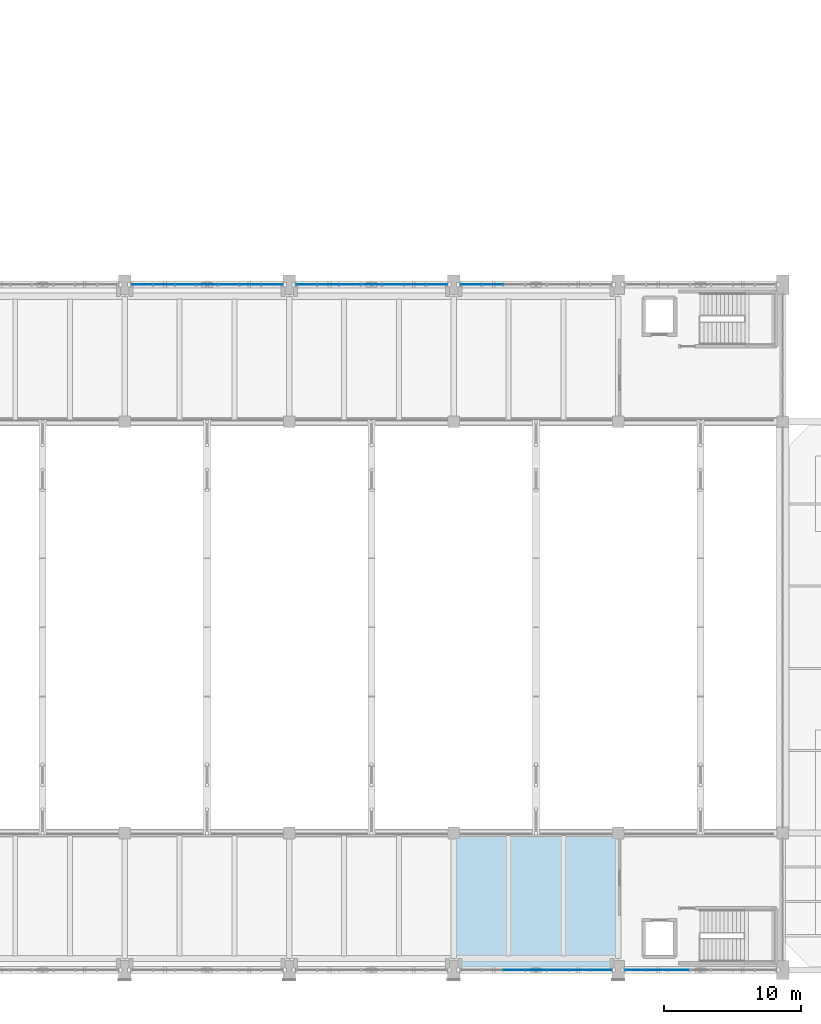
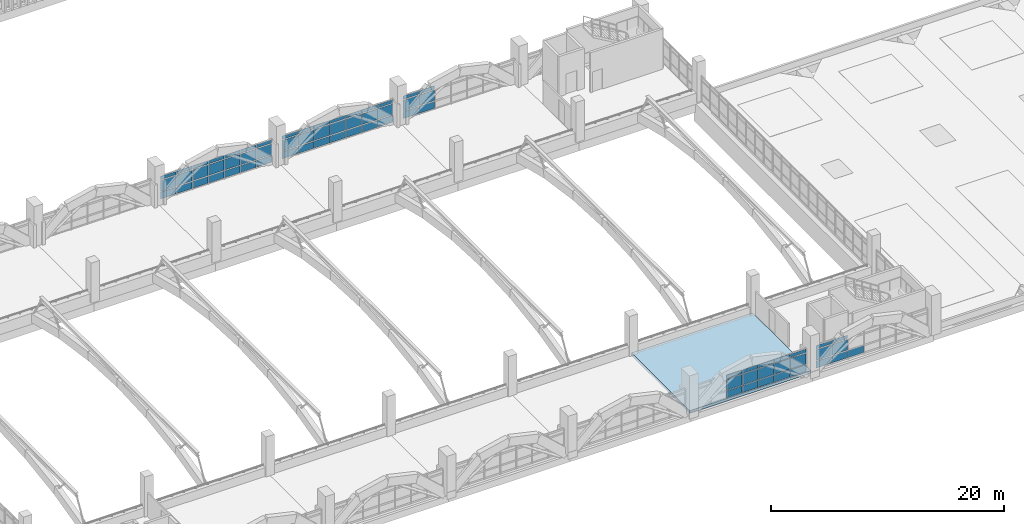
# One storey, part 125 of 161: 70 plates, 1 slab, 5 elements without a shape of their own.
"""IFC4 building model written with IfcOpenShell, lengths in metres."""

from ifc_helpers import new_model, si_unit, direction, frame, origin, origin_2d, place, context, subcontext, project, spatial, polyline, rectangle, outline, extrude, material, layer, layer_set, type_object, element, aggregate, save


model = new_model("IFC4")

# Units and contexts
model_context = context("Model", 3, precision=1e-05, world=origin(), true_north=direction((0.0, 1.0)))
body_context = subcontext(model_context, "Body", "Model", "MODEL_VIEW")
ifc_project = project(units=[si_unit("LENGTHUNIT", "METRE"), si_unit("AREAUNIT", "SQUARE_METRE"), si_unit("VOLUMEUNIT", "CUBIC_METRE"), si_unit("PLANEANGLEUNIT", "RADIAN"), si_unit("MASSUNIT", "GRAM", prefix="KILO")], contexts=[model_context])

# Site, building, storey
site_placement = place(None, origin())
site = spatial("IfcSite", under=ifc_project, at=site_placement, CompositionType="ELEMENT")
building_placement = place(site_placement, origin())
building = spatial("IfcBuilding", under=site, at=building_placement, Name="Mersad Railyard Sports Hall", CompositionType="ELEMENT")
storey_placement = place(building_placement, frame((0.0, 0.0, 4.800048828125)))
storey = spatial("IfcBuildingStorey", under=building, at=storey_placement, Name="L01", CompositionType="ELEMENT", Elevation=4.800048828125)

# Curtain wall, plates
ifc_material_1 = material(Name="Aluminium 6063-T6", Category="aluminium")
ifc_layer_1 = layer(ifc_material_1, 0.199951171875)
ifc_layer_set_1 = layer_set([ifc_layer_1], Name="Aluminium 6063-T6")
curtain_wall_type = type_object("IfcCurtainWallType", Name="ARC-CW-CW02", PredefinedType="USERDEFINED", material=ifc_layer_set_1)
curtain_wall_1_placement = place(storey_placement, origin())
curtain_wall_1 = element("IfcCurtainWall", 1, at=curtain_wall_1_placement, inside=storey, type_object=curtain_wall_type, Name="Curtain wall CW02-0013", ObjectType="CURTAIN WALL", PredefinedType="USERDEFINED")
ifc_material_2 = material(Name="Solar-control glass", Category="glass")
ifc_layer_2 = layer(ifc_material_2, 0.028076171875)
ifc_layer_set_2 = layer_set([ifc_layer_2], Name="Solar-control glass")
plate_type = type_object("IfcPlateType", Name="ARC-CW-PNL01", PredefinedType="CURTAIN_PANEL", material=ifc_layer_set_2)
plate_1_placement = place(storey_placement, frame((44.260009765625, 53.5, 0.0849609375), z_axis=(0.0, 0.0, 1.0), x_axis=(1.0, 0.0, 0.0)))
plate_1 = element("IfcPlate", 2, at=plate_1_placement, type_object=plate_type, Name="CW02 Glazed panel 1-1", PredefinedType="CURTAIN_PANEL", context=body_context, shape_type="SweptSolid", body=[
    extrude(rectangle(XDim=1.535888671875, YDim=0.028076171875, at=origin_2d()), origin(), (0.0, 0.0, 1.0), 0.719970703125),
])
plate_2_placement = place(storey_placement, frame((44.260009765625, 53.5, 0.89501953125), z_axis=(0.0, 0.0, 1.0), x_axis=(1.0, 0.0, 0.0)))
plate_2 = element("IfcPlate", 3, at=plate_2_placement, type_object=plate_type, Name="CW02 Glazed panel 1-2", PredefinedType="CURTAIN_PANEL", context=body_context, shape_type="SweptSolid", body=[
    extrude(rectangle(XDim=1.535888671875, YDim=0.028076171875, at=origin_2d()), origin(), (0.0, 0.0, 1.0), 1.110107421875),
])
plate_3_placement = place(storey_placement, frame((44.260009765625, 53.5, 2.094970703125), z_axis=(0.0, 0.0, 1.0), x_axis=(1.0, 0.0, 0.0)))
plate_3 = element("IfcPlate", 4, at=plate_3_placement, type_object=plate_type, Name="CW02 Glazed panel 1-3", PredefinedType="CURTAIN_PANEL", context=body_context, shape_type="SweptSolid", body=[
    extrude(rectangle(XDim=1.535888671875, YDim=0.028076171875, at=origin_2d()), origin(), (0.0, 0.0, 1.0), 0.35009765625),
])
plate_4_placement = place(storey_placement, frame((45.840087890625, 53.5, 0.0849609375), z_axis=(0.0, 0.0, 1.0), x_axis=(1.0, 0.0, 0.0)))
plate_4 = element("IfcPlate", 5, at=plate_4_placement, type_object=plate_type, Name="CW02 Glazed panel 2-1", PredefinedType="CURTAIN_PANEL", context=body_context, shape_type="SweptSolid", body=[
    extrude(rectangle(XDim=1.535888671875, YDim=0.028076171875, at=origin_2d()), origin(), (0.0, 0.0, 1.0), 0.719970703125),
])
plate_5_placement = place(storey_placement, frame((45.840087890625, 53.5, 0.89501953125), z_axis=(0.0, 0.0, 1.0), x_axis=(1.0, 0.0, 0.0)))
plate_5 = element("IfcPlate", 6, at=plate_5_placement, type_object=plate_type, Name="CW02 Glazed panel 2-2", PredefinedType="CURTAIN_PANEL", context=body_context, shape_type="SweptSolid", body=[
    extrude(rectangle(XDim=1.535888671875, YDim=0.028076171875, at=origin_2d()), origin(), (0.0, 0.0, 1.0), 1.110107421875),
])
plate_6_placement = place(storey_placement, frame((45.840087890625, 53.5, 2.094970703125), z_axis=(0.0, 0.0, 1.0), x_axis=(1.0, 0.0, 0.0)))
plate_6 = element("IfcPlate", 7, at=plate_6_placement, type_object=plate_type, Name="CW02 Glazed panel 2-3", PredefinedType="CURTAIN_PANEL", context=body_context, shape_type="SweptSolid", body=[
    extrude(rectangle(XDim=1.535888671875, YDim=0.028076171875, at=origin_2d()), origin(), (0.0, 0.0, 1.0), 0.35009765625),
])
plate_7_placement = place(storey_placement, frame((47.419921875, 53.5, 0.0849609375), z_axis=(0.0, 0.0, 1.0), x_axis=(1.0, 0.0, 0.0)))
plate_7 = element("IfcPlate", 8, at=plate_7_placement, type_object=plate_type, Name="CW02 Glazed panel 3-1", PredefinedType="CURTAIN_PANEL", context=body_context, shape_type="SweptSolid", body=[
    extrude(rectangle(XDim=1.535888671875, YDim=0.028076171875, at=origin_2d()), origin(), (0.0, 0.0, 1.0), 0.719970703125),
])
plate_8_placement = place(storey_placement, frame((47.419921875, 53.5, 0.89501953125), z_axis=(0.0, 0.0, 1.0), x_axis=(1.0, 0.0, 0.0)))
plate_8 = element("IfcPlate", 9, at=plate_8_placement, type_object=plate_type, Name="CW02 Glazed panel 3-2", PredefinedType="CURTAIN_PANEL", context=body_context, shape_type="SweptSolid", body=[
    extrude(rectangle(XDim=1.535888671875, YDim=0.028076171875, at=origin_2d()), origin(), (0.0, 0.0, 1.0), 1.110107421875),
])
plate_9_placement = place(storey_placement, frame((47.419921875, 53.5, 2.094970703125), z_axis=(0.0, 0.0, 1.0), x_axis=(1.0, 0.0, 0.0)))
plate_9 = element("IfcPlate", 10, at=plate_9_placement, type_object=plate_type, Name="CW02 Glazed panel 3-3", PredefinedType="CURTAIN_PANEL", context=body_context, shape_type="SweptSolid", body=[
    extrude(rectangle(XDim=1.535888671875, YDim=0.028076171875, at=origin_2d()), origin(), (0.0, 0.0, 1.0), 0.35009765625),
])
plate_10_placement = place(storey_placement, frame((49.0, 53.5, 0.0849609375), z_axis=(0.0, 0.0, 1.0), x_axis=(1.0, 0.0, 0.0)))
plate_10 = element("IfcPlate", 11, at=plate_10_placement, type_object=plate_type, Name="CW02 Glazed panel 4-1", PredefinedType="CURTAIN_PANEL", context=body_context, shape_type="SweptSolid", body=[
    extrude(rectangle(XDim=1.535888671875, YDim=0.028076171875, at=origin_2d()), origin(), (0.0, 0.0, 1.0), 0.719970703125),
])
plate_11_placement = place(storey_placement, frame((49.0, 53.5, 0.89501953125), z_axis=(0.0, 0.0, 1.0), x_axis=(1.0, 0.0, 0.0)))
plate_11 = element("IfcPlate", 12, at=plate_11_placement, type_object=plate_type, Name="CW02 Glazed panel 4-2", PredefinedType="CURTAIN_PANEL", context=body_context, shape_type="SweptSolid", body=[
    extrude(rectangle(XDim=1.535888671875, YDim=0.028076171875, at=origin_2d()), origin(), (0.0, 0.0, 1.0), 1.110107421875),
])
plate_12_placement = place(storey_placement, frame((49.0, 53.5, 2.094970703125), z_axis=(0.0, 0.0, 1.0), x_axis=(1.0, 0.0, 0.0)))
plate_12 = element("IfcPlate", 13, at=plate_12_placement, type_object=plate_type, Name="CW02 Glazed panel 4-3", PredefinedType="CURTAIN_PANEL", context=body_context, shape_type="SweptSolid", body=[
    extrude(rectangle(XDim=1.535888671875, YDim=0.028076171875, at=origin_2d()), origin(), (0.0, 0.0, 1.0), 0.35009765625),
])
plate_13_placement = place(storey_placement, frame((50.580078125, 53.5, 0.0849609375), z_axis=(0.0, 0.0, 1.0), x_axis=(1.0, 0.0, 0.0)))
plate_13 = element("IfcPlate", 14, at=plate_13_placement, type_object=plate_type, Name="CW02 Glazed panel 5-1", PredefinedType="CURTAIN_PANEL", context=body_context, shape_type="SweptSolid", body=[
    extrude(rectangle(XDim=1.535888671875, YDim=0.028076171875, at=origin_2d()), origin(), (0.0, 0.0, 1.0), 0.719970703125),
])
plate_14_placement = place(storey_placement, frame((50.580078125, 53.5, 0.89501953125), z_axis=(0.0, 0.0, 1.0), x_axis=(1.0, 0.0, 0.0)))
plate_14 = element("IfcPlate", 15, at=plate_14_placement, type_object=plate_type, Name="CW02 Glazed panel 5-2", PredefinedType="CURTAIN_PANEL", context=body_context, shape_type="SweptSolid", body=[
    extrude(rectangle(XDim=1.535888671875, YDim=0.028076171875, at=origin_2d()), origin(), (0.0, 0.0, 1.0), 1.110107421875),
])
plate_15_placement = place(storey_placement, frame((50.580078125, 53.5, 2.094970703125), z_axis=(0.0, 0.0, 1.0), x_axis=(1.0, 0.0, 0.0)))
plate_15 = element("IfcPlate", 16, at=plate_15_placement, type_object=plate_type, Name="CW02 Glazed panel 5-3", PredefinedType="CURTAIN_PANEL", context=body_context, shape_type="SweptSolid", body=[
    extrude(rectangle(XDim=1.535888671875, YDim=0.028076171875, at=origin_2d()), origin(), (0.0, 0.0, 1.0), 0.35009765625),
])
plate_16_placement = place(storey_placement, frame((52.159912109375, 53.5, 0.0849609375), z_axis=(0.0, 0.0, 1.0), x_axis=(1.0, 0.0, 0.0)))
plate_16 = element("IfcPlate", 17, at=plate_16_placement, type_object=plate_type, Name="CW02 Glazed panel 6-1", PredefinedType="CURTAIN_PANEL", context=body_context, shape_type="SweptSolid", body=[
    extrude(rectangle(XDim=1.535888671875, YDim=0.028076171875, at=origin_2d()), origin(), (0.0, 0.0, 1.0), 0.719970703125),
])
plate_17_placement = place(storey_placement, frame((52.159912109375, 53.5, 0.89501953125), z_axis=(0.0, 0.0, 1.0), x_axis=(1.0, 0.0, 0.0)))
plate_17 = element("IfcPlate", 18, at=plate_17_placement, type_object=plate_type, Name="CW02 Glazed panel 6-2", PredefinedType="CURTAIN_PANEL", context=body_context, shape_type="SweptSolid", body=[
    extrude(rectangle(XDim=1.535888671875, YDim=0.028076171875, at=origin_2d()), origin(), (0.0, 0.0, 1.0), 1.110107421875),
])
plate_18_placement = place(storey_placement, frame((52.159912109375, 53.5, 2.094970703125), z_axis=(0.0, 0.0, 1.0), x_axis=(1.0, 0.0, 0.0)))
plate_18 = element("IfcPlate", 19, at=plate_18_placement, type_object=plate_type, Name="CW02 Glazed panel 6-3", PredefinedType="CURTAIN_PANEL", context=body_context, shape_type="SweptSolid", body=[
    extrude(rectangle(XDim=1.535888671875, YDim=0.028076171875, at=origin_2d()), origin(), (0.0, 0.0, 1.0), 0.35009765625),
])
plate_19_placement = place(storey_placement, frame((53.739990234375, 53.5, 0.0849609375), z_axis=(0.0, 0.0, 1.0), x_axis=(1.0, 0.0, 0.0)))
plate_19 = element("IfcPlate", 20, at=plate_19_placement, type_object=plate_type, Name="CW02 Glazed panel 7-1", PredefinedType="CURTAIN_PANEL", context=body_context, shape_type="SweptSolid", body=[
    extrude(rectangle(XDim=1.535888671875, YDim=0.028076171875, at=origin_2d()), origin(), (0.0, 0.0, 1.0), 0.719970703125),
])
plate_20_placement = place(storey_placement, frame((53.739990234375, 53.5, 0.89501953125), z_axis=(0.0, 0.0, 1.0), x_axis=(1.0, 0.0, 0.0)))
plate_20 = element("IfcPlate", 21, at=plate_20_placement, type_object=plate_type, Name="CW02 Glazed panel 7-2", PredefinedType="CURTAIN_PANEL", context=body_context, shape_type="SweptSolid", body=[
    extrude(rectangle(XDim=1.535888671875, YDim=0.028076171875, at=origin_2d()), origin(), (0.0, 0.0, 1.0), 1.110107421875),
])
plate_21_placement = place(storey_placement, frame((53.739990234375, 53.5, 2.094970703125), z_axis=(0.0, 0.0, 1.0), x_axis=(1.0, 0.0, 0.0)))
plate_21 = element("IfcPlate", 22, at=plate_21_placement, type_object=plate_type, Name="CW02 Glazed panel 7-3", PredefinedType="CURTAIN_PANEL", context=body_context, shape_type="SweptSolid", body=[
    extrude(rectangle(XDim=1.535888671875, YDim=0.028076171875, at=origin_2d()), origin(), (0.0, 0.0, 1.0), 0.35009765625),
])
aggregate(curtain_wall_1, [plate_1, plate_2, plate_3, plate_4, plate_5, plate_6, plate_7, plate_8, plate_9, plate_10, plate_11, plate_12, plate_13, plate_14, plate_15, plate_16, plate_17, plate_18, plate_19, plate_20, plate_21])

curtain_wall_2_placement = place(storey_placement, origin())
curtain_wall_2 = element("IfcCurtainWall", 23, at=curtain_wall_2_placement, inside=storey, type_object=curtain_wall_type, Name="Curtain wall CW02-0016", ObjectType="CURTAIN WALL", PredefinedType="USERDEFINED")
plate_22_placement = place(storey_placement, frame((56.260009765625, 53.5, 0.0849609375), z_axis=(0.0, 0.0, 1.0), x_axis=(1.0, 0.0, 0.0)))
plate_22 = element("IfcPlate", 24, at=plate_22_placement, type_object=plate_type, Name="CW02 Glazed panel 1-1", PredefinedType="CURTAIN_PANEL", context=body_context, shape_type="SweptSolid", body=[
    extrude(rectangle(XDim=1.535888671875, YDim=0.028076171875, at=origin_2d()), origin(), (0.0, 0.0, 1.0), 0.719970703125),
])
plate_23_placement = place(storey_placement, frame((56.260009765625, 53.5, 0.89501953125), z_axis=(0.0, 0.0, 1.0), x_axis=(1.0, 0.0, 0.0)))
plate_23 = element("IfcPlate", 25, at=plate_23_placement, type_object=plate_type, Name="CW02 Glazed panel 1-2", PredefinedType="CURTAIN_PANEL", context=body_context, shape_type="SweptSolid", body=[
    extrude(rectangle(XDim=1.535888671875, YDim=0.028076171875, at=origin_2d()), origin(), (0.0, 0.0, 1.0), 1.110107421875),
])
plate_24_placement = place(storey_placement, frame((56.260009765625, 53.5, 2.094970703125), z_axis=(0.0, 0.0, 1.0), x_axis=(1.0, 0.0, 0.0)))
plate_24 = element("IfcPlate", 26, at=plate_24_placement, type_object=plate_type, Name="CW02 Glazed panel 1-3", PredefinedType="CURTAIN_PANEL", context=body_context, shape_type="SweptSolid", body=[
    extrude(rectangle(XDim=1.535888671875, YDim=0.028076171875, at=origin_2d()), origin(), (0.0, 0.0, 1.0), 0.35009765625),
])
plate_25_placement = place(storey_placement, frame((57.840087890625, 53.5, 0.0849609375), z_axis=(0.0, 0.0, 1.0), x_axis=(1.0, 0.0, 0.0)))
plate_25 = element("IfcPlate", 27, at=plate_25_placement, type_object=plate_type, Name="CW02 Glazed panel 2-1", PredefinedType="CURTAIN_PANEL", context=body_context, shape_type="SweptSolid", body=[
    extrude(rectangle(XDim=1.535888671875, YDim=0.028076171875, at=origin_2d()), origin(), (0.0, 0.0, 1.0), 0.719970703125),
])
plate_26_placement = place(storey_placement, frame((57.840087890625, 53.5, 0.89501953125), z_axis=(0.0, 0.0, 1.0), x_axis=(1.0, 0.0, 0.0)))
plate_26 = element("IfcPlate", 28, at=plate_26_placement, type_object=plate_type, Name="CW02 Glazed panel 2-2", PredefinedType="CURTAIN_PANEL", context=body_context, shape_type="SweptSolid", body=[
    extrude(rectangle(XDim=1.535888671875, YDim=0.028076171875, at=origin_2d()), origin(), (0.0, 0.0, 1.0), 1.110107421875),
])
plate_27_placement = place(storey_placement, frame((57.840087890625, 53.5, 2.094970703125), z_axis=(0.0, 0.0, 1.0), x_axis=(1.0, 0.0, 0.0)))
plate_27 = element("IfcPlate", 29, at=plate_27_placement, type_object=plate_type, Name="CW02 Glazed panel 2-3", PredefinedType="CURTAIN_PANEL", context=body_context, shape_type="SweptSolid", body=[
    extrude(rectangle(XDim=1.535888671875, YDim=0.028076171875, at=origin_2d()), origin(), (0.0, 0.0, 1.0), 0.35009765625),
])
plate_28_placement = place(storey_placement, frame((59.419921875, 53.5, 0.0849609375), z_axis=(0.0, 0.0, 1.0), x_axis=(1.0, 0.0, 0.0)))
plate_28 = element("IfcPlate", 30, at=plate_28_placement, type_object=plate_type, Name="CW02 Glazed panel 3-1", PredefinedType="CURTAIN_PANEL", context=body_context, shape_type="SweptSolid", body=[
    extrude(rectangle(XDim=1.535888671875, YDim=0.028076171875, at=origin_2d()), origin(), (0.0, 0.0, 1.0), 0.719970703125),
])
plate_29_placement = place(storey_placement, frame((59.419921875, 53.5, 0.89501953125), z_axis=(0.0, 0.0, 1.0), x_axis=(1.0, 0.0, 0.0)))
plate_29 = element("IfcPlate", 31, at=plate_29_placement, type_object=plate_type, Name="CW02 Glazed panel 3-2", PredefinedType="CURTAIN_PANEL", context=body_context, shape_type="SweptSolid", body=[
    extrude(rectangle(XDim=1.535888671875, YDim=0.028076171875, at=origin_2d()), origin(), (0.0, 0.0, 1.0), 1.110107421875),
])
plate_30_placement = place(storey_placement, frame((59.419921875, 53.5, 2.094970703125), z_axis=(0.0, 0.0, 1.0), x_axis=(1.0, 0.0, 0.0)))
plate_30 = element("IfcPlate", 32, at=plate_30_placement, type_object=plate_type, Name="CW02 Glazed panel 3-3", PredefinedType="CURTAIN_PANEL", context=body_context, shape_type="SweptSolid", body=[
    extrude(rectangle(XDim=1.535888671875, YDim=0.028076171875, at=origin_2d()), origin(), (0.0, 0.0, 1.0), 0.35009765625),
])
plate_31_placement = place(storey_placement, frame((61.0, 53.5, 0.0849609375), z_axis=(0.0, 0.0, 1.0), x_axis=(1.0, 0.0, 0.0)))
plate_31 = element("IfcPlate", 33, at=plate_31_placement, type_object=plate_type, Name="CW02 Glazed panel 4-1", PredefinedType="CURTAIN_PANEL", context=body_context, shape_type="SweptSolid", body=[
    extrude(rectangle(XDim=1.535888671875, YDim=0.028076171875, at=origin_2d()), origin(), (0.0, 0.0, 1.0), 0.719970703125),
])
plate_32_placement = place(storey_placement, frame((61.0, 53.5, 0.89501953125), z_axis=(0.0, 0.0, 1.0), x_axis=(1.0, 0.0, 0.0)))
plate_32 = element("IfcPlate", 34, at=plate_32_placement, type_object=plate_type, Name="CW02 Glazed panel 4-2", PredefinedType="CURTAIN_PANEL", context=body_context, shape_type="SweptSolid", body=[
    extrude(rectangle(XDim=1.535888671875, YDim=0.028076171875, at=origin_2d()), origin(), (0.0, 0.0, 1.0), 1.110107421875),
])
plate_33_placement = place(storey_placement, frame((61.0, 53.5, 2.094970703125), z_axis=(0.0, 0.0, 1.0), x_axis=(1.0, 0.0, 0.0)))
plate_33 = element("IfcPlate", 35, at=plate_33_placement, type_object=plate_type, Name="CW02 Glazed panel 4-3", PredefinedType="CURTAIN_PANEL", context=body_context, shape_type="SweptSolid", body=[
    extrude(rectangle(XDim=1.535888671875, YDim=0.028076171875, at=origin_2d()), origin(), (0.0, 0.0, 1.0), 0.35009765625),
])
plate_34_placement = place(storey_placement, frame((62.580078125, 53.5, 0.0849609375), z_axis=(0.0, 0.0, 1.0), x_axis=(1.0, 0.0, 0.0)))
plate_34 = element("IfcPlate", 36, at=plate_34_placement, type_object=plate_type, Name="CW02 Glazed panel 5-1", PredefinedType="CURTAIN_PANEL", context=body_context, shape_type="SweptSolid", body=[
    extrude(rectangle(XDim=1.535888671875, YDim=0.028076171875, at=origin_2d()), origin(), (0.0, 0.0, 1.0), 0.719970703125),
])
plate_35_placement = place(storey_placement, frame((62.580078125, 53.5, 0.89501953125), z_axis=(0.0, 0.0, 1.0), x_axis=(1.0, 0.0, 0.0)))
plate_35 = element("IfcPlate", 37, at=plate_35_placement, type_object=plate_type, Name="CW02 Glazed panel 5-2", PredefinedType="CURTAIN_PANEL", context=body_context, shape_type="SweptSolid", body=[
    extrude(rectangle(XDim=1.535888671875, YDim=0.028076171875, at=origin_2d()), origin(), (0.0, 0.0, 1.0), 1.110107421875),
])
plate_36_placement = place(storey_placement, frame((62.580078125, 53.5, 2.094970703125), z_axis=(0.0, 0.0, 1.0), x_axis=(1.0, 0.0, 0.0)))
plate_36 = element("IfcPlate", 38, at=plate_36_placement, type_object=plate_type, Name="CW02 Glazed panel 5-3", PredefinedType="CURTAIN_PANEL", context=body_context, shape_type="SweptSolid", body=[
    extrude(rectangle(XDim=1.535888671875, YDim=0.028076171875, at=origin_2d()), origin(), (0.0, 0.0, 1.0), 0.35009765625),
])
plate_37_placement = place(storey_placement, frame((64.159912109375, 53.5, 0.0849609375), z_axis=(0.0, 0.0, 1.0), x_axis=(1.0, 0.0, 0.0)))
plate_37 = element("IfcPlate", 39, at=plate_37_placement, type_object=plate_type, Name="CW02 Glazed panel 6-1", PredefinedType="CURTAIN_PANEL", context=body_context, shape_type="SweptSolid", body=[
    extrude(rectangle(XDim=1.535888671875, YDim=0.028076171875, at=origin_2d()), origin(), (0.0, 0.0, 1.0), 0.719970703125),
])
plate_38_placement = place(storey_placement, frame((64.159912109375, 53.5, 0.89501953125), z_axis=(0.0, 0.0, 1.0), x_axis=(1.0, 0.0, 0.0)))
plate_38 = element("IfcPlate", 40, at=plate_38_placement, type_object=plate_type, Name="CW02 Glazed panel 6-2", PredefinedType="CURTAIN_PANEL", context=body_context, shape_type="SweptSolid", body=[
    extrude(rectangle(XDim=1.535888671875, YDim=0.028076171875, at=origin_2d()), origin(), (0.0, 0.0, 1.0), 1.110107421875),
])
plate_39_placement = place(storey_placement, frame((64.159912109375, 53.5, 2.094970703125), z_axis=(0.0, 0.0, 1.0), x_axis=(1.0, 0.0, 0.0)))
plate_39 = element("IfcPlate", 41, at=plate_39_placement, type_object=plate_type, Name="CW02 Glazed panel 6-3", PredefinedType="CURTAIN_PANEL", context=body_context, shape_type="SweptSolid", body=[
    extrude(rectangle(XDim=1.535888671875, YDim=0.028076171875, at=origin_2d()), origin(), (0.0, 0.0, 1.0), 0.35009765625),
])
plate_40_placement = place(storey_placement, frame((65.739990234375, 53.5, 0.0849609375), z_axis=(0.0, 0.0, 1.0), x_axis=(1.0, 0.0, 0.0)))
plate_40 = element("IfcPlate", 42, at=plate_40_placement, type_object=plate_type, Name="CW02 Glazed panel 7-1", PredefinedType="CURTAIN_PANEL", context=body_context, shape_type="SweptSolid", body=[
    extrude(rectangle(XDim=1.535888671875, YDim=0.028076171875, at=origin_2d()), origin(), (0.0, 0.0, 1.0), 0.719970703125),
])
plate_41_placement = place(storey_placement, frame((65.739990234375, 53.5, 0.89501953125), z_axis=(0.0, 0.0, 1.0), x_axis=(1.0, 0.0, 0.0)))
plate_41 = element("IfcPlate", 43, at=plate_41_placement, type_object=plate_type, Name="CW02 Glazed panel 7-2", PredefinedType="CURTAIN_PANEL", context=body_context, shape_type="SweptSolid", body=[
    extrude(rectangle(XDim=1.535888671875, YDim=0.028076171875, at=origin_2d()), origin(), (0.0, 0.0, 1.0), 1.110107421875),
])
plate_42_placement = place(storey_placement, frame((65.739990234375, 53.5, 2.094970703125), z_axis=(0.0, 0.0, 1.0), x_axis=(1.0, 0.0, 0.0)))
plate_42 = element("IfcPlate", 44, at=plate_42_placement, type_object=plate_type, Name="CW02 Glazed panel 7-3", PredefinedType="CURTAIN_PANEL", context=body_context, shape_type="SweptSolid", body=[
    extrude(rectangle(XDim=1.535888671875, YDim=0.028076171875, at=origin_2d()), origin(), (0.0, 0.0, 1.0), 0.35009765625),
])
aggregate(curtain_wall_2, [plate_22, plate_23, plate_24, plate_25, plate_26, plate_27, plate_28, plate_29, plate_30, plate_31, plate_32, plate_33, plate_34, plate_35, plate_36, plate_37, plate_38, plate_39, plate_40, plate_41, plate_42])

curtain_wall_3_placement = place(storey_placement, origin())
curtain_wall_3 = element("IfcCurtainWall", 45, at=curtain_wall_3_placement, inside=storey, type_object=curtain_wall_type, Name="Curtain wall CW02-0017", ObjectType="CURTAIN WALL", PredefinedType="USERDEFINED")
plate_43_placement = place(storey_placement, frame((77.739990234375, 3.5, 0.0849609375), z_axis=(0.0, 0.0, 1.0), x_axis=(-1.0, 0.0, 0.0)))
plate_43 = element("IfcPlate", 46, at=plate_43_placement, type_object=plate_type, Name="CW02 Glazed panel 1-1", PredefinedType="CURTAIN_PANEL", context=body_context, shape_type="SweptSolid", body=[
    extrude(rectangle(XDim=1.535888671875, YDim=0.028076171875, at=origin_2d()), origin(), (0.0, 0.0, 1.0), 0.719970703125),
])
plate_44_placement = place(storey_placement, frame((77.739990234375, 3.5, 0.89501953125), z_axis=(0.0, 0.0, 1.0), x_axis=(-1.0, 0.0, 0.0)))
plate_44 = element("IfcPlate", 47, at=plate_44_placement, type_object=plate_type, Name="CW02 Glazed panel 1-2", PredefinedType="CURTAIN_PANEL", context=body_context, shape_type="SweptSolid", body=[
    extrude(rectangle(XDim=1.535888671875, YDim=0.028076171875, at=origin_2d()), origin(), (0.0, 0.0, 1.0), 1.110107421875),
])
plate_45_placement = place(storey_placement, frame((77.739990234375, 3.5, 2.094970703125), z_axis=(0.0, 0.0, 1.0), x_axis=(-1.0, 0.0, 0.0)))
plate_45 = element("IfcPlate", 48, at=plate_45_placement, type_object=plate_type, Name="CW02 Glazed panel 1-3", PredefinedType="CURTAIN_PANEL", context=body_context, shape_type="SweptSolid", body=[
    extrude(rectangle(XDim=1.535888671875, YDim=0.028076171875, at=origin_2d()), origin(), (0.0, 0.0, 1.0), 0.35009765625),
])
plate_46_placement = place(storey_placement, frame((76.159912109375, 3.5, 0.0849609375), z_axis=(0.0, 0.0, 1.0), x_axis=(-1.0, 0.0, 0.0)))
plate_46 = element("IfcPlate", 49, at=plate_46_placement, type_object=plate_type, Name="CW02 Glazed panel 2-1", PredefinedType="CURTAIN_PANEL", context=body_context, shape_type="SweptSolid", body=[
    extrude(rectangle(XDim=1.535888671875, YDim=0.028076171875, at=origin_2d()), origin(), (0.0, 0.0, 1.0), 0.719970703125),
])
plate_47_placement = place(storey_placement, frame((76.159912109375, 3.5, 0.89501953125), z_axis=(0.0, 0.0, 1.0), x_axis=(-1.0, 0.0, 0.0)))
plate_47 = element("IfcPlate", 50, at=plate_47_placement, type_object=plate_type, Name="CW02 Glazed panel 2-2", PredefinedType="CURTAIN_PANEL", context=body_context, shape_type="SweptSolid", body=[
    extrude(rectangle(XDim=1.535888671875, YDim=0.028076171875, at=origin_2d()), origin(), (0.0, 0.0, 1.0), 1.110107421875),
])
plate_48_placement = place(storey_placement, frame((76.159912109375, 3.5, 2.094970703125), z_axis=(0.0, 0.0, 1.0), x_axis=(-1.0, 0.0, 0.0)))
plate_48 = element("IfcPlate", 51, at=plate_48_placement, type_object=plate_type, Name="CW02 Glazed panel 2-3", PredefinedType="CURTAIN_PANEL", context=body_context, shape_type="SweptSolid", body=[
    extrude(rectangle(XDim=1.535888671875, YDim=0.028076171875, at=origin_2d()), origin(), (0.0, 0.0, 1.0), 0.35009765625),
])
plate_49_placement = place(storey_placement, frame((74.580078125, 3.5, 0.0849609375), z_axis=(0.0, 0.0, 1.0), x_axis=(-1.0, 0.0, 0.0)))
plate_49 = element("IfcPlate", 52, at=plate_49_placement, type_object=plate_type, Name="CW02 Glazed panel 3-1", PredefinedType="CURTAIN_PANEL", context=body_context, shape_type="SweptSolid", body=[
    extrude(rectangle(XDim=1.535888671875, YDim=0.028076171875, at=origin_2d()), origin(), (0.0, 0.0, 1.0), 0.719970703125),
])
plate_50_placement = place(storey_placement, frame((74.580078125, 3.5, 0.89501953125), z_axis=(0.0, 0.0, 1.0), x_axis=(-1.0, 0.0, 0.0)))
plate_50 = element("IfcPlate", 53, at=plate_50_placement, type_object=plate_type, Name="CW02 Glazed panel 3-2", PredefinedType="CURTAIN_PANEL", context=body_context, shape_type="SweptSolid", body=[
    extrude(rectangle(XDim=1.535888671875, YDim=0.028076171875, at=origin_2d()), origin(), (0.0, 0.0, 1.0), 1.110107421875),
])
plate_51_placement = place(storey_placement, frame((74.580078125, 3.5, 2.094970703125), z_axis=(0.0, 0.0, 1.0), x_axis=(-1.0, 0.0, 0.0)))
plate_51 = element("IfcPlate", 54, at=plate_51_placement, type_object=plate_type, Name="CW02 Glazed panel 3-3", PredefinedType="CURTAIN_PANEL", context=body_context, shape_type="SweptSolid", body=[
    extrude(rectangle(XDim=1.535888671875, YDim=0.028076171875, at=origin_2d()), origin(), (0.0, 0.0, 1.0), 0.35009765625),
])
plate_52_placement = place(storey_placement, frame((73.0, 3.5, 0.0849609375), z_axis=(0.0, 0.0, 1.0), x_axis=(-1.0, 0.0, 0.0)))
plate_52 = element("IfcPlate", 55, at=plate_52_placement, type_object=plate_type, Name="CW02 Glazed panel 4-1", PredefinedType="CURTAIN_PANEL", context=body_context, shape_type="SweptSolid", body=[
    extrude(rectangle(XDim=1.535888671875, YDim=0.028076171875, at=origin_2d()), origin(), (0.0, 0.0, 1.0), 0.719970703125),
])
plate_53_placement = place(storey_placement, frame((73.0, 3.5, 0.89501953125), z_axis=(0.0, 0.0, 1.0), x_axis=(-1.0, 0.0, 0.0)))
plate_53 = element("IfcPlate", 56, at=plate_53_placement, type_object=plate_type, Name="CW02 Glazed panel 4-2", PredefinedType="CURTAIN_PANEL", context=body_context, shape_type="SweptSolid", body=[
    extrude(rectangle(XDim=1.535888671875, YDim=0.028076171875, at=origin_2d()), origin(), (0.0, 0.0, 1.0), 1.110107421875),
])
plate_54_placement = place(storey_placement, frame((73.0, 3.5, 2.094970703125), z_axis=(0.0, 0.0, 1.0), x_axis=(-1.0, 0.0, 0.0)))
plate_54 = element("IfcPlate", 57, at=plate_54_placement, type_object=plate_type, Name="CW02 Glazed panel 4-3", PredefinedType="CURTAIN_PANEL", context=body_context, shape_type="SweptSolid", body=[
    extrude(rectangle(XDim=1.535888671875, YDim=0.028076171875, at=origin_2d()), origin(), (0.0, 0.0, 1.0), 0.35009765625),
])
plate_55_placement = place(storey_placement, frame((71.419921875, 3.5, 0.0849609375), z_axis=(0.0, 0.0, 1.0), x_axis=(-1.0, 0.0, 0.0)))
plate_55 = element("IfcPlate", 58, at=plate_55_placement, type_object=plate_type, Name="CW02 Glazed panel 5-1", PredefinedType="CURTAIN_PANEL", context=body_context, shape_type="SweptSolid", body=[
    extrude(rectangle(XDim=1.535888671875, YDim=0.028076171875, at=origin_2d()), origin(), (0.0, 0.0, 1.0), 0.719970703125),
])
plate_56_placement = place(storey_placement, frame((71.419921875, 3.5, 0.89501953125), z_axis=(0.0, 0.0, 1.0), x_axis=(-1.0, 0.0, 0.0)))
plate_56 = element("IfcPlate", 59, at=plate_56_placement, type_object=plate_type, Name="CW02 Glazed panel 5-2", PredefinedType="CURTAIN_PANEL", context=body_context, shape_type="SweptSolid", body=[
    extrude(rectangle(XDim=1.535888671875, YDim=0.028076171875, at=origin_2d()), origin(), (0.0, 0.0, 1.0), 1.110107421875),
])
plate_57_placement = place(storey_placement, frame((71.419921875, 3.5, 2.094970703125), z_axis=(0.0, 0.0, 1.0), x_axis=(-1.0, 0.0, 0.0)))
plate_57 = element("IfcPlate", 60, at=plate_57_placement, type_object=plate_type, Name="CW02 Glazed panel 5-3", PredefinedType="CURTAIN_PANEL", context=body_context, shape_type="SweptSolid", body=[
    extrude(rectangle(XDim=1.535888671875, YDim=0.028076171875, at=origin_2d()), origin(), (0.0, 0.0, 1.0), 0.35009765625),
])
aggregate(curtain_wall_3, [plate_43, plate_44, plate_45, plate_46, plate_47, plate_48, plate_49, plate_50, plate_51, plate_52, plate_53, plate_54, plate_55, plate_56, plate_57])

curtain_wall_4_placement = place(storey_placement, origin())
curtain_wall_4 = element("IfcCurtainWall", 61, at=curtain_wall_4_placement, inside=storey, type_object=curtain_wall_type, Name="Curtain wall CW02-0018", ObjectType="CURTAIN WALL", PredefinedType="USERDEFINED")
plate_58_placement = place(storey_placement, frame((68.260009765625, 53.5, 0.0849609375), z_axis=(0.0, 0.0, 1.0), x_axis=(1.0, 0.0, 0.0)))
plate_58 = element("IfcPlate", 62, at=plate_58_placement, type_object=plate_type, Name="CW02 Glazed panel 1-1", PredefinedType="CURTAIN_PANEL", context=body_context, shape_type="SweptSolid", body=[
    extrude(rectangle(XDim=1.535888671875, YDim=0.028076171875, at=origin_2d()), origin(), (0.0, 0.0, 1.0), 0.719970703125),
])
plate_59_placement = place(storey_placement, frame((68.260009765625, 53.5, 0.89501953125), z_axis=(0.0, 0.0, 1.0), x_axis=(1.0, 0.0, 0.0)))
plate_59 = element("IfcPlate", 63, at=plate_59_placement, type_object=plate_type, Name="CW02 Glazed panel 1-2", PredefinedType="CURTAIN_PANEL", context=body_context, shape_type="SweptSolid", body=[
    extrude(rectangle(XDim=1.535888671875, YDim=0.028076171875, at=origin_2d()), origin(), (0.0, 0.0, 1.0), 1.110107421875),
])
plate_60_placement = place(storey_placement, frame((68.260009765625, 53.5, 2.094970703125), z_axis=(0.0, 0.0, 1.0), x_axis=(1.0, 0.0, 0.0)))
plate_60 = element("IfcPlate", 64, at=plate_60_placement, type_object=plate_type, Name="CW02 Glazed panel 1-3", PredefinedType="CURTAIN_PANEL", context=body_context, shape_type="SweptSolid", body=[
    extrude(rectangle(XDim=1.535888671875, YDim=0.028076171875, at=origin_2d()), origin(), (0.0, 0.0, 1.0), 0.35009765625),
])
plate_61_placement = place(storey_placement, frame((69.840087890625, 53.5, 0.0849609375), z_axis=(0.0, 0.0, 1.0), x_axis=(1.0, 0.0, 0.0)))
plate_61 = element("IfcPlate", 65, at=plate_61_placement, type_object=plate_type, Name="CW02 Glazed panel 2-1", PredefinedType="CURTAIN_PANEL", context=body_context, shape_type="SweptSolid", body=[
    extrude(rectangle(XDim=1.535888671875, YDim=0.028076171875, at=origin_2d()), origin(), (0.0, 0.0, 1.0), 0.719970703125),
])
plate_62_placement = place(storey_placement, frame((69.840087890625, 53.5, 0.89501953125), z_axis=(0.0, 0.0, 1.0), x_axis=(1.0, 0.0, 0.0)))
plate_62 = element("IfcPlate", 66, at=plate_62_placement, type_object=plate_type, Name="CW02 Glazed panel 2-2", PredefinedType="CURTAIN_PANEL", context=body_context, shape_type="SweptSolid", body=[
    extrude(rectangle(XDim=1.535888671875, YDim=0.028076171875, at=origin_2d()), origin(), (0.0, 0.0, 1.0), 1.110107421875),
])
plate_63_placement = place(storey_placement, frame((69.840087890625, 53.5, 2.094970703125), z_axis=(0.0, 0.0, 1.0), x_axis=(1.0, 0.0, 0.0)))
plate_63 = element("IfcPlate", 67, at=plate_63_placement, type_object=plate_type, Name="CW02 Glazed panel 2-3", PredefinedType="CURTAIN_PANEL", context=body_context, shape_type="SweptSolid", body=[
    extrude(rectangle(XDim=1.535888671875, YDim=0.028076171875, at=origin_2d()), origin(), (0.0, 0.0, 1.0), 0.35009765625),
])
aggregate(curtain_wall_4, [plate_58, plate_59, plate_60, plate_61, plate_62, plate_63])

curtain_wall_5_placement = place(storey_placement, origin())
curtain_wall_5 = element("IfcCurtainWall", 68, at=curtain_wall_5_placement, inside=storey, type_object=curtain_wall_type, Name="Curtain wall CW02-0020", ObjectType="CURTAIN WALL", PredefinedType="USERDEFINED")
plate_64_placement = place(storey_placement, frame((83.419921875, 3.5, 0.0849609375), z_axis=(0.0, 0.0, 1.0), x_axis=(-1.0, 0.0, 0.0)))
plate_64 = element("IfcPlate", 69, at=plate_64_placement, type_object=plate_type, Name="CW02 Glazed panel 5-1", PredefinedType="CURTAIN_PANEL", context=body_context, shape_type="SweptSolid", body=[
    extrude(rectangle(XDim=1.535888671875, YDim=0.028076171875, at=origin_2d()), origin(), (0.0, 0.0, 1.0), 0.719970703125),
])
plate_65_placement = place(storey_placement, frame((81.840087890625, 3.5, 0.0849609375), z_axis=(0.0, 0.0, 1.0), x_axis=(-1.0, 0.0, 0.0)))
plate_65 = element("IfcPlate", 70, at=plate_65_placement, type_object=plate_type, Name="CW02 Glazed panel 6-1", PredefinedType="CURTAIN_PANEL", context=body_context, shape_type="SweptSolid", body=[
    extrude(rectangle(XDim=1.535888671875, YDim=0.028076171875, at=origin_2d()), origin(), (0.0, 0.0, 1.0), 0.719970703125),
])
plate_66_placement = place(storey_placement, frame((81.840087890625, 3.5, 0.89501953125), z_axis=(0.0, 0.0, 1.0), x_axis=(-1.0, 0.0, 0.0)))
plate_66 = element("IfcPlate", 71, at=plate_66_placement, type_object=plate_type, Name="CW02 Glazed panel 6-2", PredefinedType="CURTAIN_PANEL", context=body_context, shape_type="SweptSolid", body=[
    extrude(rectangle(XDim=1.535888671875, YDim=0.028076171875, at=origin_2d()), origin(), (0.0, 0.0, 1.0), 1.110107421875),
])
plate_67_placement = place(storey_placement, frame((81.840087890625, 3.5, 2.094970703125), z_axis=(0.0, 0.0, 1.0), x_axis=(-1.0, 0.0, 0.0)))
plate_67 = element("IfcPlate", 72, at=plate_67_placement, type_object=plate_type, Name="CW02 Glazed panel 6-3", PredefinedType="CURTAIN_PANEL", context=body_context, shape_type="SweptSolid", body=[
    extrude(rectangle(XDim=1.535888671875, YDim=0.028076171875, at=origin_2d()), origin(), (0.0, 0.0, 1.0), 0.35009765625),
])
plate_68_placement = place(storey_placement, frame((80.260009765625, 3.5, 0.0849609375), z_axis=(0.0, 0.0, 1.0), x_axis=(-1.0, 0.0, 0.0)))
plate_68 = element("IfcPlate", 73, at=plate_68_placement, type_object=plate_type, Name="CW02 Glazed panel 7-1", PredefinedType="CURTAIN_PANEL", context=body_context, shape_type="SweptSolid", body=[
    extrude(rectangle(XDim=1.535888671875, YDim=0.028076171875, at=origin_2d()), origin(), (0.0, 0.0, 1.0), 0.719970703125),
])
plate_69_placement = place(storey_placement, frame((80.260009765625, 3.5, 0.89501953125), z_axis=(0.0, 0.0, 1.0), x_axis=(-1.0, 0.0, 0.0)))
plate_69 = element("IfcPlate", 74, at=plate_69_placement, type_object=plate_type, Name="CW02 Glazed panel 7-2", PredefinedType="CURTAIN_PANEL", context=body_context, shape_type="SweptSolid", body=[
    extrude(rectangle(XDim=1.535888671875, YDim=0.028076171875, at=origin_2d()), origin(), (0.0, 0.0, 1.0), 1.110107421875),
])
plate_70_placement = place(storey_placement, frame((80.260009765625, 3.5, 2.094970703125), z_axis=(0.0, 0.0, 1.0), x_axis=(-1.0, 0.0, 0.0)))
plate_70 = element("IfcPlate", 75, at=plate_70_placement, type_object=plate_type, Name="CW02 Glazed panel 7-3", PredefinedType="CURTAIN_PANEL", context=body_context, shape_type="SweptSolid", body=[
    extrude(rectangle(XDim=1.535888671875, YDim=0.028076171875, at=origin_2d()), origin(), (0.0, 0.0, 1.0), 0.35009765625),
])
aggregate(curtain_wall_5, [plate_64, plate_65, plate_66, plate_67, plate_68, plate_69, plate_70])

# Slab
ifc_material_3 = material(Name="Concrete C40/50", Category="concrete")
ifc_layer_3 = layer(ifc_material_3, 0.280029296875)
ifc_layer_set_3 = layer_set([ifc_layer_3], Name="Concrete C40/50")
slab_type = type_object("IfcSlabType", Name="STR-SL-FL02", PredefinedType="FLOOR", material=ifc_layer_set_3)
slab_placement = place(storey_placement, frame((0.0, 0.0, -0.280029296875)))
element("IfcSlab", 76, at=slab_placement, inside=storey, type_object=slab_type, Name="Slab SL02-0047", PredefinedType="FLOOR", context=body_context, shape_type="SweptSolid", body=[
    extrude(outline(polyline([(67.0, 3.5), (79.0, 3.5), (79.0, 13.5), (67.0, 13.5), (67.0, 3.5)])), origin(), (0.0, 0.0, 1.0), 0.280029296875),
])

save(model, "model.ifc")
